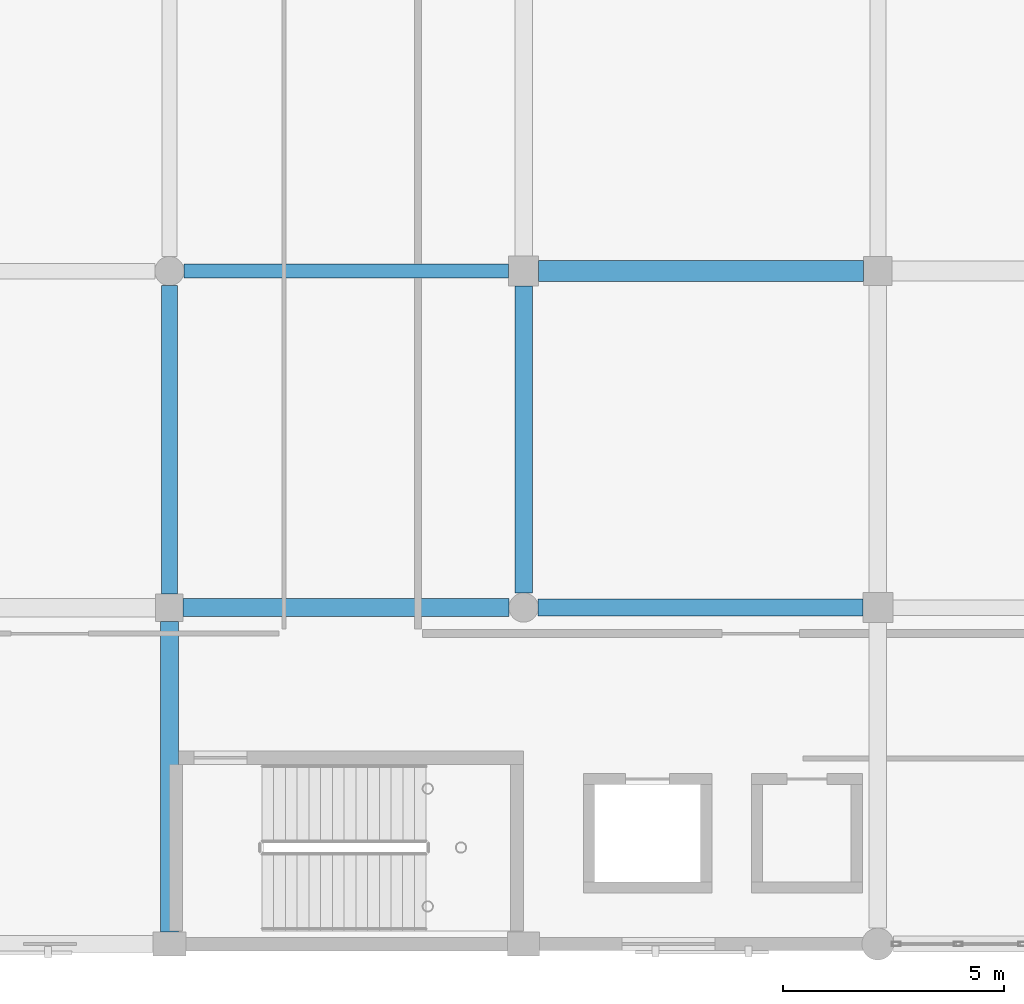
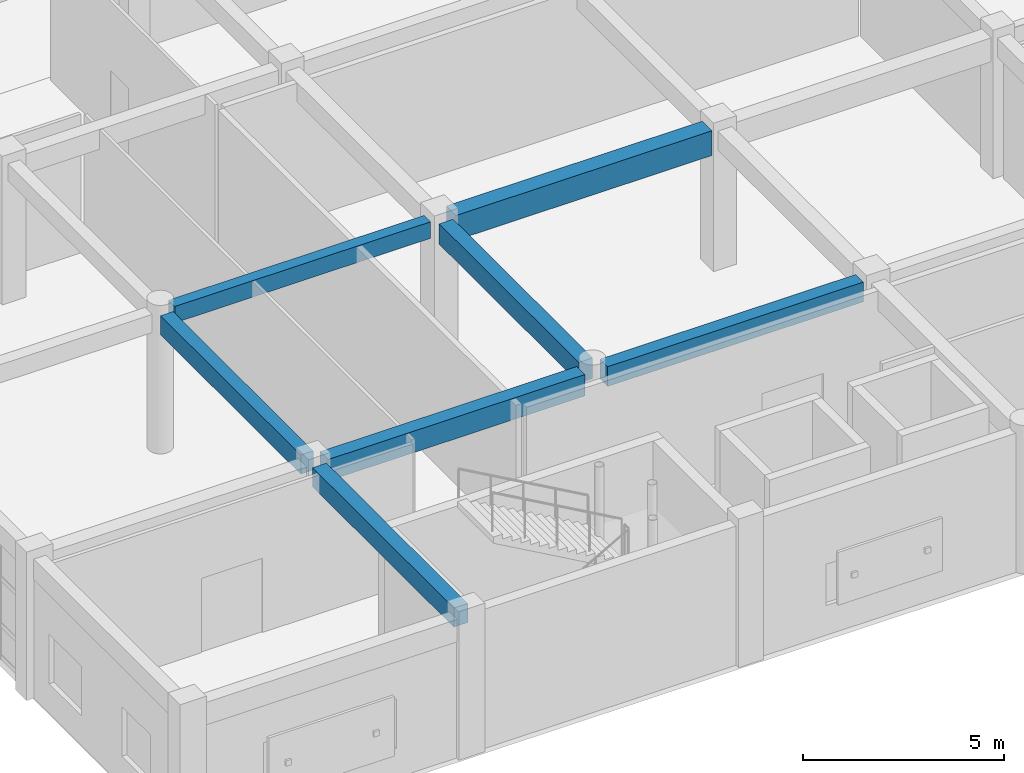
# One storey, part 82 of 160: 7 beams.
"""IFC4 building model written with IfcOpenShell, lengths in metres."""

from ifc_helpers import new_model, si_unit, direction, frame, origin, origin_2d, place, context, subcontext, project, spatial, rectangle, extrude, material, material_profile, profile_set, type_object, element, save


model = new_model("IFC4")

# Units and contexts
model_context = context("Model", 3, precision=1e-05, world=origin(), true_north=direction((0.0, 1.0)))
body_context = subcontext(model_context, "Body", "Model", "MODEL_VIEW")
ifc_project = project(units=[si_unit("LENGTHUNIT", "METRE"), si_unit("AREAUNIT", "SQUARE_METRE"), si_unit("VOLUMEUNIT", "CUBIC_METRE"), si_unit("PLANEANGLEUNIT", "RADIAN"), si_unit("MASSUNIT", "GRAM", prefix="KILO")], contexts=[model_context])

# Site, building, storey
site_placement = place(None, origin())
site = spatial("IfcSite", under=ifc_project, at=site_placement, CompositionType="ELEMENT")
building_placement = place(site_placement, origin())
building = spatial("IfcBuilding", under=site, at=building_placement, Name="Kharva Crest Polytechnic", CompositionType="ELEMENT")
storey_placement = place(building_placement, frame((0.0, 0.0, 4.5)))
storey = spatial("IfcBuildingStorey", under=building, at=storey_placement, Name="L01", CompositionType="ELEMENT", Elevation=4.5)

# Beams
ifc_material = material(Name="Concrete C35/45", Category="concrete")
ifc_material_profile_1 = material_profile(ifc_material, rectangle(XDim=0.320068359375, YDim=0.5, at=origin_2d()), Name="RECT 320 X 500")
ifc_profile_set_1 = profile_set([ifc_material_profile_1], Name="Concrete C35/45")
beam_type_1 = type_object("IfcBeamType", Name="BM-RC-320X500", PredefinedType="BEAM", material=ifc_profile_set_1)
beam_1_placement = place(storey_placement, frame((129.1298828125, 15.199951171875, 3.969970703125), z_axis=(1.0, 0.0, 0.0), x_axis=(0.0, 1.0, 0.0)))
element("IfcBeam", 1, at=beam_1_placement, inside=storey, type_object=beam_type_1, Name="L01 Beam C/17-18", PredefinedType="BEAM", context=body_context, shape_type="SweptSolid", body=[
    extrude(rectangle(XDim=0.320068359375, YDim=0.5, at=origin_2d()), origin(), (0.0, 0.0, 1.0), 7.330078125),
])
ifc_material_profile_2 = material_profile(ifc_material, rectangle(XDim=0.360107421875, YDim=0.580078125, at=origin_2d()), Name="RECT 360 X 580")
ifc_profile_set_2 = profile_set([ifc_material_profile_2], Name="Concrete C35/45")
beam_type_2 = type_object("IfcBeamType", Name="BM-RC-360X580", PredefinedType="BEAM", material=ifc_profile_set_2)
beam_2_placement = place(storey_placement, frame((128.800048828125, 7.909912109375, 3.929931640625), z_axis=(0.0, 1.0, 0.0), x_axis=(-1.0, 0.0, 0.0)))
element("IfcBeam", 2, at=beam_2_placement, inside=storey, type_object=beam_type_2, Name="L01 Girder 17/B-C", PredefinedType="BEAM", context=body_context, shape_type="SweptSolid", body=[
    extrude(rectangle(XDim=0.360107421875, YDim=0.580078125, at=origin_2d()), origin(), (0.0, 0.0, 1.0), 6.960205078125),
])
ifc_material_profile_3 = material_profile(ifc_material, rectangle(XDim=0.3798828125, YDim=0.60009765625, at=origin_2d()), Name="RECT 380 X 600")
ifc_profile_set_3 = profile_set([ifc_material_profile_3], Name="Concrete C35/45")
beam_type_3 = type_object("IfcBeamType", Name="BM-RC-380X600", PredefinedType="BEAM", material=ifc_profile_set_3)
beam_3_placement = place(storey_placement, frame((137.1298828125, 7.60009765625, 3.919921875), z_axis=(1.0, 0.0, 0.0), x_axis=(0.0, 1.0, 0.0)))
element("IfcBeam", 3, at=beam_3_placement, inside=storey, type_object=beam_type_3, Name="L01 Beam B/18-19", PredefinedType="BEAM", context=body_context, shape_type="SweptSolid", body=[
    extrude(rectangle(XDim=0.3798828125, YDim=0.60009765625, at=origin_2d()), origin(), (0.0, 0.0, 1.0), 7.330078125),
])
ifc_material_profile_4 = material_profile(ifc_material, rectangle(XDim=0.39990234375, YDim=0.580078125, at=origin_2d()), Name="RECT 400 X 580")
ifc_profile_set_4 = profile_set([ifc_material_profile_4], Name="Concrete C35/45")
beam_type_4 = type_object("IfcBeamType", Name="BM-RC-400X580", PredefinedType="BEAM", material=ifc_profile_set_4)
beam_4_placement = place(storey_placement, frame((128.800048828125, 0.27490234375, 3.929931640625), z_axis=(0.0, 1.0, 0.0), x_axis=(-1.0, 0.0, 0.0)))
element("IfcBeam", 4, at=beam_4_placement, inside=storey, type_object=beam_type_4, Name="L01 Girder 17/A-B", PredefinedType="BEAM", context=body_context, shape_type="SweptSolid", body=[
    extrude(rectangle(XDim=0.39990234375, YDim=0.580078125, at=origin_2d()), origin(), (0.0, 0.0, 1.0), 7.01513671875),
])
ifc_material_profile_5 = material_profile(ifc_material, rectangle(XDim=0.39990234375, YDim=0.6201171875, at=origin_2d()), Name="RECT 400 X 620")
ifc_profile_set_5 = profile_set([ifc_material_profile_5], Name="Concrete C35/45")
beam_type_5 = type_object("IfcBeamType", Name="BM-RC-400X620", PredefinedType="BEAM", material=ifc_profile_set_5)
beam_5_placement = place(storey_placement, frame((136.800048828125, 7.929931640625, 3.909912109375), z_axis=(0.0, 1.0, 0.0), x_axis=(-1.0, 0.0, 0.0)))
element("IfcBeam", 5, at=beam_5_placement, inside=storey, type_object=beam_type_5, Name="L01 Girder 18/B-C", PredefinedType="BEAM", context=body_context, shape_type="SweptSolid", body=[
    extrude(rectangle(XDim=0.39990234375, YDim=0.6201171875, at=origin_2d()), origin(), (0.0, 0.0, 1.0), 6.93017578125),
])
ifc_material_profile_6 = material_profile(ifc_material, rectangle(XDim=0.39990234375, YDim=0.64990234375, at=origin_2d()), Name="RECT 400 X 650")
ifc_profile_set_6 = profile_set([ifc_material_profile_6], Name="Concrete C35/45")
beam_type_6 = type_object("IfcBeamType", Name="BM-RC-400X650", PredefinedType="BEAM", material=ifc_profile_set_6)
beam_6_placement = place(storey_placement, frame((129.110107421875, 7.60009765625, 3.89501953125), z_axis=(1.0, 0.0, 0.0), x_axis=(0.0, 1.0, 0.0)))
element("IfcBeam", 6, at=beam_6_placement, inside=storey, type_object=beam_type_6, Name="L01 Beam B/17-18", PredefinedType="BEAM", context=body_context, shape_type="SweptSolid", body=[
    extrude(rectangle(XDim=0.39990234375, YDim=0.64990234375, at=origin_2d()), origin(), (0.0, 0.0, 1.0), 7.35986328125),
])
ifc_material_profile_7 = material_profile(ifc_material, rectangle(XDim=0.47998046875, YDim=0.75, at=origin_2d()), Name="RECT 480 X 750")
ifc_profile_set_7 = profile_set([ifc_material_profile_7], Name="Concrete C35/45")
beam_type_7 = type_object("IfcBeamType", Name="BM-RC-480X750", PredefinedType="BEAM", material=ifc_profile_set_7)
beam_7_placement = place(storey_placement, frame((137.139892578125, 15.199951171875, 3.844970703125), z_axis=(1.0, 0.0, 0.0), x_axis=(0.0, 1.0, 0.0)))
element("IfcBeam", 7, at=beam_7_placement, inside=storey, type_object=beam_type_7, Name="L01 Beam C/18-19", PredefinedType="BEAM", context=body_context, shape_type="SweptSolid", body=[
    extrude(rectangle(XDim=0.47998046875, YDim=0.75, at=origin_2d()), origin(), (0.0, 0.0, 1.0), 7.335205078125),
])

save(model, "model.ifc")
